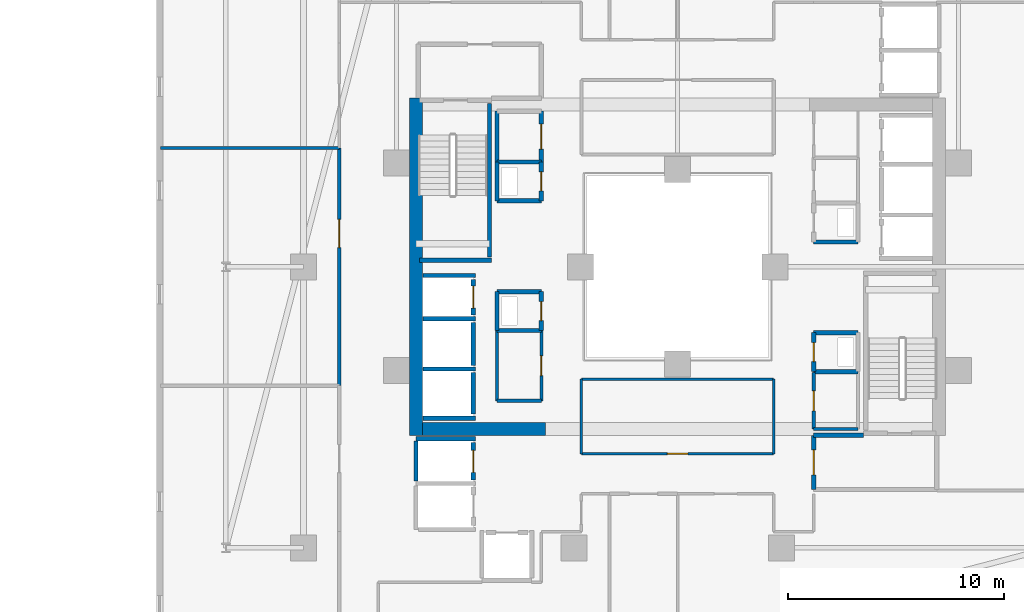
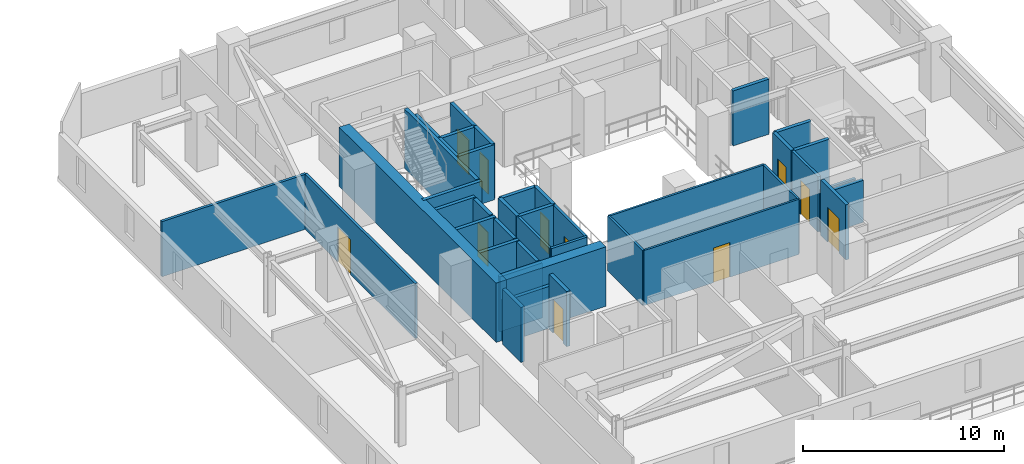
# One storey, part 24 of 33: 41 walls, 11 doors, 11 openings.
"""IFC4 building model written with IfcOpenShell, lengths in metres."""

from ifc_helpers import new_model, si_unit, direction, frame, frame_2d, origin, place, context, subcontext, project, spatial, rectangle, extrude, material, layer, layer_set, type_object, element, fill, save


model = new_model("IFC4")

# Units and contexts
model_context = context("Model", 3, precision=1e-05, world=origin(), true_north=direction((0.0, 1.0)))
body_context = subcontext(model_context, "Body", "Model", "MODEL_VIEW")
ifc_project = project(units=[si_unit("LENGTHUNIT", "METRE"), si_unit("AREAUNIT", "SQUARE_METRE"), si_unit("VOLUMEUNIT", "CUBIC_METRE"), si_unit("PLANEANGLEUNIT", "RADIAN"), si_unit("MASSUNIT", "GRAM", prefix="KILO")], contexts=[model_context])

# Site, building, storey
site_placement = place(None, origin())
site = spatial("IfcSite", under=ifc_project, at=site_placement, CompositionType="ELEMENT")
building_placement = place(site_placement, origin())
building = spatial("IfcBuilding", under=site, at=building_placement, Name="Thornwick Lancets Civic Towers", CompositionType="ELEMENT")
storey_placement = place(building_placement, frame((0.0, 0.0, 108.89990234375)))
storey = spatial("IfcBuildingStorey", under=building, at=storey_placement, Name="L28", CompositionType="ELEMENT", Elevation=108.89990234375)

# Wall, opening, door
ifc_material_1 = material(Name="Concrete blockwork C40/50", Category="masonry")
ifc_layer_1 = layer(ifc_material_1, 0.199951171875, Name="Concrete blockwork C40/50")
ifc_layer_set_1 = layer_set([ifc_layer_1], Name="Concrete blockwork C40/50")
wall_type_1 = type_object("IfcWallType", Name="WALL_COMP_200", PredefinedType="STANDARD", material=ifc_layer_set_1)
wall_1_placement = place(storey_placement, frame((79.050048828125, 24.780029296875, 0.0), z_axis=(0.0, 0.0, 1.0), x_axis=(0.0, 1.0, 0.0)))
wall_1 = element("IfcWall", 1, at=wall_1_placement, inside=storey, type_object=wall_type_1, Name="L28 Hoistway Front Wall FL-B2", PredefinedType="STANDARD", context=body_context, shape_type="SweptSolid", body=[
    extrude(rectangle(XDim=1.639892578125, YDim=0.199951171875, at=frame_2d((0.81982421875, 0.0))), origin(), (0.0, 0.0, 1.0), 3.340087890625),
])
opening_1_placement = place(wall_1_placement, frame((0.31005859375, 0.0, 0.0)))
opening_1 = element("IfcOpeningElement", 2, at=opening_1_placement, cuts=wall_1, Name="Opening LD-FL-B2", PredefinedType="OPENING", context=body_context, shape_type="SweptSolid", body=[
    extrude(rectangle(XDim=1.02001953125, YDim=2.06005859375, at=frame_2d((0.510009765625, 1.030029296875))), frame((0.0, 0.10986328125, 0.0), z_axis=(0.0, -1.0, 0.0), x_axis=(1.0, 0.0, 0.0)), (0.0, 0.0, 1.0), 0.219970703125),
])
ifc_material_2 = material(Name="Brushed bronze stainless steel", Category="steel")
door_type_1 = type_object("IfcDoorType", Name="DOOR_LIFT_SLIDE", OperationType="SLIDING_TO_LEFT", PredefinedType="DOOR", material=ifc_material_2)
door_1_placement = place(opening_1_placement, origin())
door_1 = element("IfcDoor", 3, at=door_1_placement, inside=storey, type_object=door_type_1, Name="L28 Sliding Lift Landing Door LD-FL-B2", OperationType="SLIDING_TO_LEFT", OverallHeight=2.06005859375, OverallWidth=1.02001953125, PredefinedType="DOOR", context=body_context, shape_type="SweptSolid", body=[
    extrude(rectangle(XDim=1.02001953125, YDim=2.06005859375, at=frame_2d((0.510009765625, 1.030029296875))), frame((0.0, 0.02490234375, 0.0), z_axis=(0.0, -1.0, 0.0), x_axis=(1.0, 0.0, 0.0)), (0.0, 0.0, 1.0), 0.050048828125),
])
fill(opening_1, door_1)

# Walls
wall_2_placement = place(storey_placement, frame((79.050048828125, 22.429931640625, 0.0), z_axis=(0.0, 0.0, 1.0), x_axis=(0.0, 1.0, 0.0)))
element("IfcWall", 4, at=wall_2_placement, inside=storey, type_object=wall_type_1, Name="L28 Hoistway Front Wall PL-BH2", PredefinedType="STANDARD", context=body_context, shape_type="SweptSolid", body=[
    extrude(rectangle(XDim=1.989990234375, YDim=0.199951171875, at=frame_2d((0.9951171875, 0.0))), origin(), (0.0, 0.0, 1.0), 3.340087890625),
])
wall_3_placement = place(storey_placement, frame((79.050048828125, 20.179931640625, 0.0), z_axis=(0.0, 0.0, 1.0), x_axis=(0.0, 1.0, 0.0)))
element("IfcWall", 5, at=wall_3_placement, inside=storey, type_object=wall_type_1, Name="L28 Hoistway Front Wall PL-BH3", PredefinedType="STANDARD", context=body_context, shape_type="SweptSolid", body=[
    extrude(rectangle(XDim=1.940185546875, YDim=0.199951171875, at=frame_2d((0.97021484375, 0.0))), origin(), (0.0, 0.0, 1.0), 3.340087890625),
])

# Wall, opening, door
wall_4_placement = place(storey_placement, frame((79.050048828125, 17.1298828125, 0.0), z_axis=(0.0, 0.0, 1.0), x_axis=(0.0, 1.0, 0.0)))
wall_4 = element("IfcWall", 6, at=wall_4_placement, inside=storey, type_object=wall_type_1, Name="L28 Hoistway Front Wall PL-BM1", PredefinedType="STANDARD", context=body_context, shape_type="SweptSolid", body=[
    extrude(rectangle(XDim=1.740234375, YDim=0.199951171875, at=frame_2d((0.8701171875, 0.0))), origin(), (0.0, 0.0, 1.0), 3.340087890625),
])
opening_2_placement = place(wall_4_placement, frame((0.360107421875, 0.0, 0.0)))
opening_2 = element("IfcOpeningElement", 7, at=opening_2_placement, cuts=wall_4, Name="Opening LD-PL-BM1", PredefinedType="OPENING", context=body_context, shape_type="SweptSolid", body=[
    extrude(rectangle(XDim=1.02001953125, YDim=2.06005859375, at=frame_2d((0.510009765625, 1.030029296875))), frame((0.0, 0.10986328125, 0.0), z_axis=(0.0, -1.0, 0.0), x_axis=(1.0, 0.0, 0.0)), (0.0, 0.0, 1.0), 0.219970703125),
])
door_2_placement = place(opening_2_placement, origin())
door_2 = element("IfcDoor", 8, at=door_2_placement, inside=storey, type_object=door_type_1, Name="L28 Sliding Lift Landing Door LD-PL-BM1", OperationType="SLIDING_TO_LEFT", OverallHeight=2.06005859375, OverallWidth=1.02001953125, PredefinedType="DOOR", context=body_context, shape_type="SweptSolid", body=[
    extrude(rectangle(XDim=1.02001953125, YDim=2.06005859375, at=frame_2d((0.510009765625, 1.030029296875))), frame((0.0, 0.02490234375, 0.0), z_axis=(0.0, -1.0, 0.0), x_axis=(1.0, 0.0, 0.0)), (0.0, 0.0, 1.0), 0.050048828125),
])
fill(opening_2, door_2)

# Walls
for number, where, z_axis, x_axis, name in (
    (9, (76.7119140625, 26.60009765625, 0.0), (0.0, 0.0, 1.0), (1.0, 0.0, 0.0), "L28 Hoistway Shaft Wall FL-B2 N"),
    (10, (76.7119140625, 24.60009765625, 0.0), (0.0, 0.0, 1.0), (1.0, 0.0, 0.0), "L28 Hoistway Shaft Wall FL-B2 S"),
    (11, (76.7119140625, 22.27490234375, 0.0), (0.0, 0.0, 1.0), (1.0, 0.0, 0.0), "L28 Hoistway Shaft Wall PL-BH2 S"),
    (12, (76.7119140625, 20.0, 0.0), (0.0, 0.0, 1.0), (1.0, 0.0, 0.0), "L28 Hoistway Shaft Wall PL-BH3 S"),
):
    element("IfcWall", number, at=place(storey_placement, frame(where, z_axis=z_axis, x_axis=x_axis)), inside=storey, type_object=wall_type_1, Name=name, PredefinedType="STANDARD", context=body_context, shape_type="SweptSolid", body=[
        extrude(rectangle(XDim=2.43603515625, YDim=0.199951171875, at=frame_2d((1.218017578125, 0.0))), origin(), (0.0, 0.0, 1.0), 3.340087890625),
    ])
wall_5_placement = place(storey_placement, frame((76.402099609375, 19.050048828125, 0.0), z_axis=(0.0, 0.0, 1.0), x_axis=(1.0, 0.0, 0.0)))
element("IfcWall", 13, at=wall_5_placement, inside=storey, type_object=wall_type_1, Name="L28 Hoistway Shaft Wall PL-BM1 N", PredefinedType="STANDARD", context=body_context, shape_type="SweptSolid", body=[
    extrude(rectangle(XDim=2.745849609375, YDim=0.199951171875, at=frame_2d((1.373046875, 0.0))), origin(), (0.0, 0.0, 1.0), 2.545166015625),
])
wall_6_placement = place(storey_placement, frame((76.39990234375, 17.08203125, 0.0), z_axis=(0.0, 0.0, 1.0), x_axis=(0.0, 1.0, 0.0)))
element("IfcWall", 14, at=wall_6_placement, inside=storey, type_object=wall_type_1, Name="L28 Hoistway Shaft Wall PL-BM1 W", PredefinedType="STANDARD", context=body_context, shape_type="SweptSolid", body=[
    extrude(rectangle(XDim=1.85595703125, YDim=0.199951171875, at=frame_2d((0.927978515625, 0.0))), origin(), (0.0, 0.0, 1.0), 3.340087890625),
])
wall_7_placement = place(storey_placement, frame((97.10009765625, 19.199951171875, 0.0), z_axis=(0.0, 0.0, 1.0), x_axis=(-1.0, 0.0, 0.0)))
element("IfcWall", 15, at=wall_7_placement, inside=storey, type_object=wall_type_1, Name="L28 Partition L28-B-FFLOB1 E3", PredefinedType="STANDARD", context=body_context, shape_type="SweptSolid", body=[
    extrude(rectangle(XDim=2.300048828125, YDim=0.199951171875, at=frame_2d((1.14990234375, 0.0))), origin(), (0.0, 0.0, 1.0), 2.545166015625),
])

# Wall, opening, door
wall_8_placement = place(storey_placement, frame((94.800048828125, 19.199951171875, 0.0), z_axis=(0.0, 0.0, 1.0), x_axis=(0.0, -1.0, 0.0)))
wall_8 = element("IfcWall", 16, at=wall_8_placement, inside=storey, type_object=wall_type_1, Name="L28 Partition L28-B-FFLOB1 E4", PredefinedType="STANDARD", context=body_context, shape_type="SweptSolid", body=[
    extrude(rectangle(XDim=2.5, YDim=0.199951171875, at=frame_2d((1.25, 0.0))), origin(), (0.0, 0.0, 1.0), 3.340087890625),
])
opening_3_placement = place(wall_8_placement, frame((0.675048828125, 0.0, 0.0)))
opening_3 = element("IfcOpeningElement", 17, at=opening_3_placement, cuts=wall_8, Name="Opening D-L28-1284", PredefinedType="OPENING", context=body_context, shape_type="SweptSolid", body=[
    extrude(rectangle(XDim=1.14990234375, YDim=2.10009765625, at=frame_2d((0.574951171875, 1.050048828125))), frame((0.0, 0.10986328125, 0.0), z_axis=(0.0, -1.0, 0.0), x_axis=(1.0, 0.0, 0.0)), (0.0, 0.0, 1.0), 0.219970703125),
])
ifc_material_3 = material(Name="Glazed fire-resisting steel", Category="steel")
door_type_2 = type_object("IfcDoorType", Name="DOOR_LOBBY_FD60", OperationType="NOTDEFINED", PredefinedType="DOOR", material=ifc_material_3)
door_3_placement = place(opening_3_placement, origin())
door_3 = element("IfcDoor", 18, at=door_3_placement, inside=storey, type_object=door_type_2, Name="L28 East Firefighting Lobby 1 Door", OperationType="SINGLE_SWING_LEFT", OverallHeight=2.10009765625, OverallWidth=1.14990234375, PredefinedType="DOOR", context=body_context, shape_type="SweptSolid", body=[
    extrude(rectangle(XDim=1.14990234375, YDim=2.10009765625, at=frame_2d((0.574951171875, 1.050048828125))), frame((0.0, 0.02490234375, 0.0), z_axis=(0.0, -1.0, 0.0), x_axis=(1.0, 0.0, 0.0)), (0.0, 0.0, 1.0), 0.050048828125),
])
fill(opening_3, door_3)

# Walls
for number, where, z_axis, x_axis, name in (
    (19, (94.800048828125, 28.14990234375, 0.0), (0.0, 0.0, 1.0), (1.0, 0.0, 0.0), "L28 Partition L28-B-DUCT1 E1"),
    (20, (94.800048828125, 22.14990234375, 0.0), (0.0, 0.0, 1.0), (1.0, 0.0, 0.0), "L28 Partition L28-B-RISER1 E1"),
    (21, (96.85009765625, 23.949951171875, 0.0), (0.0, 0.0, 1.0), (-1.0, 0.0, 0.0), "L28 Partition L28-B-RISER1 E3"),
):
    element("IfcWall", number, at=place(storey_placement, frame(where, z_axis=z_axis, x_axis=x_axis)), inside=storey, type_object=wall_type_1, Name=name, PredefinedType="STANDARD", context=body_context, shape_type="SweptSolid", body=[
        extrude(rectangle(XDim=2.050048828125, YDim=0.199951171875, at=frame_2d((1.02490234375, 0.0))), origin(), (0.0, 0.0, 1.0), 3.340087890625),
    ])

# Wall, opening, door
wall_9_placement = place(storey_placement, frame((94.800048828125, 23.949951171875, 0.0), z_axis=(0.0, 0.0, 1.0), x_axis=(0.0, -1.0, 0.0)))
wall_9 = element("IfcWall", 22, at=wall_9_placement, inside=storey, type_object=wall_type_1, Name="L28 Partition L28-B-RISER1 E4", PredefinedType="STANDARD", context=body_context, shape_type="SweptSolid", body=[
    extrude(rectangle(XDim=1.800048828125, YDim=0.199951171875, at=frame_2d((0.89990234375, 0.0))), origin(), (0.0, 0.0, 1.0), 3.340087890625),
])
opening_4_placement = place(wall_9_placement, frame((0.4599609375, 0.0, 0.0)))
opening_4 = element("IfcOpeningElement", 23, at=opening_4_placement, cuts=wall_9, Name="Opening D-L28-1287", PredefinedType="OPENING", context=body_context, shape_type="SweptSolid", body=[
    extrude(rectangle(XDim=0.8798828125, YDim=2.0400390625, at=frame_2d((0.43994140625, 1.02001953125))), frame((0.0, 0.10986328125, 0.0), z_axis=(0.0, -1.0, 0.0), x_axis=(1.0, 0.0, 0.0)), (0.0, 0.0, 1.0), 0.219970703125),
])
ifc_material_4 = material(Name="Steel riser access doorset", Category="steel")
door_type_3 = type_object("IfcDoorType", Name="DOOR_RISER_850", OperationType="NOTDEFINED", PredefinedType="DOOR", material=ifc_material_4)
door_4_placement = place(opening_4_placement, origin())
door_4 = element("IfcDoor", 24, at=door_4_placement, inside=storey, type_object=door_type_3, Name="L28 East Electrical Riser 1 Door", OperationType="SINGLE_SWING_RIGHT", OverallHeight=2.0400390625, OverallWidth=0.8798828125, PredefinedType="DOOR", context=body_context, shape_type="SweptSolid", body=[
    extrude(rectangle(XDim=0.8798828125, YDim=2.0400390625, at=frame_2d((0.43994140625, 1.02001953125))), frame((0.0, 0.02490234375, 0.0), z_axis=(0.0, -1.0, 0.0), x_axis=(1.0, 0.0, 0.0)), (0.0, 0.0, 1.0), 0.050048828125),
])
fill(opening_4, door_4)

# Wall
wall_10_placement = place(storey_placement, frame((80.14990234375, 24.050048828125, 0.0), z_axis=(0.0, 0.0, 1.0), x_axis=(1.0, 0.0, 0.0)))
element("IfcWall", 25, at=wall_10_placement, inside=storey, type_object=wall_type_1, Name="L28 Partition L28-B-DUCT2 E1", PredefinedType="STANDARD", context=body_context, shape_type="SweptSolid", body=[
    extrude(rectangle(XDim=2.050048828125, YDim=0.199951171875, at=frame_2d((1.02490234375, 0.0))), origin(), (0.0, 0.0, 1.0), 3.340087890625),
])

# Wall, opening, door
wall_11_placement = place(storey_placement, frame((82.199951171875, 24.050048828125, 0.0), z_axis=(0.0, 0.0, 1.0), x_axis=(0.0, 1.0, 0.0)))
wall_11 = element("IfcWall", 26, at=wall_11_placement, inside=storey, type_object=wall_type_1, Name="L28 Partition L28-B-DUCT2 E2", PredefinedType="STANDARD", context=body_context, shape_type="SweptSolid", body=[
    extrude(rectangle(XDim=1.800048828125, YDim=0.199951171875, at=frame_2d((0.89990234375, 0.0))), origin(), (0.0, 0.0, 1.0), 3.340087890625),
])
opening_5_placement = place(wall_11_placement, frame((0.4599609375, 0.0, 0.0)))
opening_5 = element("IfcOpeningElement", 27, at=opening_5_placement, cuts=wall_11, Name="Opening D-L28-1288", PredefinedType="OPENING", context=body_context, shape_type="SweptSolid", body=[
    extrude(rectangle(XDim=0.8798828125, YDim=2.0400390625, at=frame_2d((0.43994140625, 1.02001953125))), frame((0.0, 0.10986328125, 0.0), z_axis=(0.0, -1.0, 0.0), x_axis=(1.0, 0.0, 0.0)), (0.0, 0.0, 1.0), 0.219970703125),
])
door_5_placement = place(opening_5_placement, origin())
door_5 = element("IfcDoor", 28, at=door_5_placement, inside=storey, type_object=door_type_3, Name="L28 West Service Duct 2 Door", OperationType="SINGLE_SWING_LEFT", OverallHeight=2.0400390625, OverallWidth=0.8798828125, PredefinedType="DOOR", context=body_context, shape_type="SweptSolid", body=[
    extrude(rectangle(XDim=0.8798828125, YDim=2.0400390625, at=frame_2d((0.43994140625, 1.02001953125))), frame((0.0, 0.02490234375, 0.0), z_axis=(0.0, -1.0, 0.0), x_axis=(1.0, 0.0, 0.0)), (0.0, 0.0, 1.0), 0.050048828125),
])
fill(opening_5, door_5)

# Walls
wall_12_placement = place(storey_placement, frame((82.199951171875, 25.85009765625, 0.0), z_axis=(0.0, 0.0, 1.0), x_axis=(-1.0, 0.0, 0.0)))
element("IfcWall", 29, at=wall_12_placement, inside=storey, type_object=wall_type_1, Name="L28 Partition L28-B-DUCT2 E3", PredefinedType="STANDARD", context=body_context, shape_type="SweptSolid", body=[
    extrude(rectangle(XDim=2.050048828125, YDim=0.199951171875, at=frame_2d((1.02490234375, 0.0))), origin(), (0.0, 0.0, 1.0), 3.340087890625),
])
wall_13_placement = place(storey_placement, frame((80.14990234375, 25.85009765625, 0.0), z_axis=(0.0, 0.0, 1.0), x_axis=(0.0, -1.0, 0.0)))
element("IfcWall", 30, at=wall_13_placement, inside=storey, type_object=wall_type_1, Name="L28 Partition L28-B-DUCT2 E4", PredefinedType="STANDARD", context=body_context, shape_type="SweptSolid", body=[
    extrude(rectangle(XDim=1.800048828125, YDim=0.199951171875, at=frame_2d((0.89990234375, 0.0))), origin(), (0.0, 0.0, 1.0), 3.340087890625),
])
wall_14_placement = place(storey_placement, frame((80.14990234375, 30.050048828125, 0.0), z_axis=(0.0, 0.0, 1.0), x_axis=(1.0, 0.0, 0.0)))
element("IfcWall", 31, at=wall_14_placement, inside=storey, type_object=wall_type_1, Name="L28 Partition L28-B-RISER2 E1", PredefinedType="STANDARD", context=body_context, shape_type="SweptSolid", body=[
    extrude(rectangle(XDim=2.050048828125, YDim=0.199951171875, at=frame_2d((1.02490234375, 0.0))), origin(), (0.0, 0.0, 1.0), 3.340087890625),
])

# Wall, opening, door
wall_15_placement = place(storey_placement, frame((82.199951171875, 30.050048828125, 0.0), z_axis=(0.0, 0.0, 1.0), x_axis=(0.0, 1.0, 0.0)))
wall_15 = element("IfcWall", 32, at=wall_15_placement, inside=storey, type_object=wall_type_1, Name="L28 Partition L28-B-RISER2 E2", PredefinedType="STANDARD", context=body_context, shape_type="SweptSolid", body=[
    extrude(rectangle(XDim=1.800048828125, YDim=0.199951171875, at=frame_2d((0.89990234375, 0.0))), origin(), (0.0, 0.0, 1.0), 3.340087890625),
])
opening_6_placement = place(wall_15_placement, frame((0.4599609375, 0.0, 0.0)))
opening_6 = element("IfcOpeningElement", 33, at=opening_6_placement, cuts=wall_15, Name="Opening D-L28-1289", PredefinedType="OPENING", context=body_context, shape_type="SweptSolid", body=[
    extrude(rectangle(XDim=0.8798828125, YDim=2.0400390625, at=frame_2d((0.43994140625, 1.02001953125))), frame((0.0, 0.10986328125, 0.0), z_axis=(0.0, -1.0, 0.0), x_axis=(1.0, 0.0, 0.0)), (0.0, 0.0, 1.0), 0.219970703125),
])
door_6_placement = place(opening_6_placement, origin())
door_6 = element("IfcDoor", 34, at=door_6_placement, inside=storey, type_object=door_type_3, Name="L28 West Service Riser 2 Door", OperationType="SINGLE_SWING_RIGHT", OverallHeight=2.0400390625, OverallWidth=0.8798828125, PredefinedType="DOOR", context=body_context, shape_type="SweptSolid", body=[
    extrude(rectangle(XDim=0.8798828125, YDim=2.0400390625, at=frame_2d((0.43994140625, 1.02001953125))), frame((0.0, 0.02490234375, 0.0), z_axis=(0.0, -1.0, 0.0), x_axis=(1.0, 0.0, 0.0)), (0.0, 0.0, 1.0), 0.050048828125),
])
fill(opening_6, door_6)

# Walls
wall_16_placement = place(storey_placement, frame((82.199951171875, 31.85009765625, 0.0), z_axis=(0.0, 0.0, 1.0), x_axis=(-1.0, 0.0, 0.0)))
element("IfcWall", 35, at=wall_16_placement, inside=storey, type_object=wall_type_1, Name="L28 Partition L28-B-RISER2 E3", PredefinedType="STANDARD", context=body_context, shape_type="SweptSolid", body=[
    extrude(rectangle(XDim=2.050048828125, YDim=0.199951171875, at=frame_2d((1.02490234375, 0.0))), origin(), (0.0, 0.0, 1.0), 3.340087890625),
])
wall_17_placement = place(storey_placement, frame((80.14990234375, 31.85009765625, 0.0), z_axis=(0.0, 0.0, 1.0), x_axis=(0.0, -1.0, 0.0)))
element("IfcWall", 36, at=wall_17_placement, inside=storey, type_object=wall_type_1, Name="L28 Partition L28-B-RISER2 E4", PredefinedType="STANDARD", context=body_context, shape_type="SweptSolid", body=[
    extrude(rectangle(XDim=1.800048828125, YDim=0.199951171875, at=frame_2d((0.89990234375, 0.0))), origin(), (0.0, 0.0, 1.0), 3.340087890625),
])
wall_18_placement = place(storey_placement, frame((80.14990234375, 31.85009765625, 0.0), z_axis=(0.0, 0.0, 1.0), x_axis=(0.0, 1.0, 0.0)))
element("IfcWall", 37, at=wall_18_placement, inside=storey, type_object=wall_type_1, Name="L28 Partition L28-B-STR E1", PredefinedType="STANDARD", context=body_context, shape_type="SweptSolid", body=[
    extrude(rectangle(XDim=2.349853515625, YDim=0.199951171875, at=frame_2d((1.1748046875, 0.0))), origin(), (0.0, 0.0, 1.0), 3.340087890625),
])

# Wall, opening, door
wall_19_placement = place(storey_placement, frame((82.199951171875, 34.199951171875, 0.0), z_axis=(0.0, 0.0, 1.0), x_axis=(0.0, -1.0, 0.0)))
wall_19 = element("IfcWall", 38, at=wall_19_placement, inside=storey, type_object=wall_type_1, Name="L28 Partition L28-B-STR E3", PredefinedType="STANDARD", context=body_context, shape_type="SweptSolid", body=[
    extrude(rectangle(XDim=2.349853515625, YDim=0.199951171875, at=frame_2d((1.1748046875, 0.0))), origin(), (0.0, 0.0, 1.0), 3.340087890625),
])
opening_7_placement = place(wall_19_placement, frame((0.60009765625, 0.0, 0.0)))
opening_7 = element("IfcOpeningElement", 39, at=opening_7_placement, cuts=wall_19, Name="Opening D-L28-1294", PredefinedType="OPENING", context=body_context, shape_type="SweptSolid", body=[
    extrude(rectangle(XDim=1.14990234375, YDim=2.10009765625, at=frame_2d((0.574951171875, 1.050048828125))), frame((0.0, 0.10986328125, 0.0), z_axis=(0.0, -1.0, 0.0), x_axis=(1.0, 0.0, 0.0)), (0.0, 0.0, 1.0), 0.219970703125),
])
door_7_placement = place(opening_7_placement, origin())
door_7 = element("IfcDoor", 40, at=door_7_placement, inside=storey, type_object=door_type_2, Name="L28 Tower B Core Equipment Store Door", OperationType="SINGLE_SWING_LEFT", OverallHeight=2.10009765625, OverallWidth=1.14990234375, PredefinedType="DOOR", context=body_context, shape_type="SweptSolid", body=[
    extrude(rectangle(XDim=1.14990234375, YDim=2.10009765625, at=frame_2d((0.574951171875, 1.050048828125))), frame((0.0, 0.02490234375, 0.0), z_axis=(0.0, -1.0, 0.0), x_axis=(1.0, 0.0, 0.0)), (0.0, 0.0, 1.0), 0.050048828125),
])
fill(opening_7, door_7)

# Walls
ifc_material_5 = material(Name="Concrete C60/75", Category="concrete")
ifc_layer_2 = layer(ifc_material_5, 0.60009765625, Name="Concrete C60/75")
ifc_layer_set_2 = layer_set([ifc_layer_2], Name="Concrete C60/75")
wall_type_2 = type_object("IfcWallType", Name="WALL_CORE_600", PredefinedType="SHEAR", material=ifc_layer_set_2)
wall_20_placement = place(storey_placement, frame((76.39990234375, 19.199951171875, 0.0), z_axis=(0.0, 0.0, 1.0), x_axis=(0.0, 1.0, 0.0)))
element("IfcWall", 41, at=wall_20_placement, inside=storey, type_object=wall_type_2, Name="L28 Split Core B2 Shear Wall W", PredefinedType="SHEAR", context=body_context, shape_type="SweptSolid", body=[
    extrude(rectangle(XDim=15.60009765625, YDim=0.60009765625, at=frame_2d((7.800048828125, 0.0))), origin(), (0.0, 0.0, 1.0), 3.60009765625),
])
wall_21_placement = place(storey_placement, frame((76.699951171875, 19.5, 0.0), z_axis=(0.0, 0.0, 1.0), x_axis=(1.0, 0.0, 0.0)))
element("IfcWall", 42, at=wall_21_placement, inside=storey, type_object=wall_type_2, Name="L28 Split Core B2 Shear Wall S", PredefinedType="SHEAR", context=body_context, shape_type="SweptSolid", body=[
    extrude(rectangle(XDim=5.699951171875, YDim=0.60009765625, at=frame_2d((2.85009765625, 0.0))), origin(), (0.0, 0.0, 1.0), 3.60009765625),
])
ifc_material_6 = material(Name="Acoustic gypsum board partition")
ifc_layer_3 = layer(ifc_material_6, 0.1201171875, Name="Acoustic gypsum board partition")
ifc_layer_set_3 = layer_set([ifc_layer_3], Name="Acoustic gypsum board partition")
wall_type_3 = type_object("IfcWallType", Name="WALL_PART_120", PredefinedType="PARTITIONING", material=ifc_layer_set_3)
wall_22_placement = place(storey_placement, frame((84.050048828125, 18.35009765625, 0.0), z_axis=(0.0, 0.0, 1.0), x_axis=(0.0, 1.0, 0.0)))
element("IfcWall", 43, at=wall_22_placement, inside=storey, type_object=wall_type_3, Name="L28 Partition L28-B-ATR-W E1", PredefinedType="PARTITIONING", context=body_context, shape_type="SweptSolid", body=[
    extrude(rectangle(XDim=3.449951171875, YDim=0.1201171875, at=frame_2d((1.72509765625, 0.0))), origin(), (0.0, 0.0, 1.0), 3.340087890625),
])
wall_23_placement = place(storey_placement, frame((84.050048828125, 21.800048828125, 0.0), z_axis=(0.0, 0.0, 1.0), x_axis=(1.0, 0.0, 0.0)))
element("IfcWall", 44, at=wall_23_placement, inside=storey, type_object=wall_type_3, Name="L28 Partition L28-B-ATR-W E2", PredefinedType="PARTITIONING", context=body_context, shape_type="SweptSolid", body=[
    extrude(rectangle(XDim=8.89990234375, YDim=0.1201171875, at=frame_2d((4.449951171875, 0.0))), origin(), (0.0, 0.0, 1.0), 3.340087890625),
])
wall_24_placement = place(storey_placement, frame((92.949951171875, 21.800048828125, 0.0), z_axis=(0.0, 0.0, 1.0), x_axis=(0.0, -1.0, 0.0)))
element("IfcWall", 45, at=wall_24_placement, inside=storey, type_object=wall_type_3, Name="L28 Partition L28-B-ATR-W E3", PredefinedType="PARTITIONING", context=body_context, shape_type="SweptSolid", body=[
    extrude(rectangle(XDim=3.449951171875, YDim=0.1201171875, at=frame_2d((1.72509765625, 0.0))), origin(), (0.0, 0.0, 1.0), 3.340087890625),
])

# Wall, opening, door
wall_25_placement = place(storey_placement, frame((92.949951171875, 18.35009765625, 0.0), z_axis=(0.0, 0.0, 1.0), x_axis=(-1.0, 0.0, 0.0)))
wall_25 = element("IfcWall", 46, at=wall_25_placement, inside=storey, type_object=wall_type_3, Name="L28 Partition L28-B-ATR-W E4", PredefinedType="PARTITIONING", context=body_context, shape_type="SweptSolid", body=[
    extrude(rectangle(XDim=8.89990234375, YDim=0.1201171875, at=frame_2d((4.449951171875, 0.0))), origin(), (0.0, 0.0, 1.0), 3.340087890625),
])
opening_8_placement = place(wall_25_placement, frame((3.97509765625, 0.0, 0.0)))
opening_8 = element("IfcOpeningElement", 47, at=opening_8_placement, cuts=wall_25, Name="Opening D-L28-1313", PredefinedType="OPENING", context=body_context, shape_type="SweptSolid", body=[
    extrude(rectangle(XDim=0.949951171875, YDim=2.10009765625, at=frame_2d((0.47509765625, 1.050048828125))), frame((0.0, 0.070068359375, 0.0), z_axis=(0.0, -1.0, 0.0), x_axis=(1.0, 0.0, 0.0)), (0.0, 0.0, 1.0), 0.14013671875),
])
ifc_material_7 = material(Name="European oak acoustic doorset")
door_type_4 = type_object("IfcDoorType", Name="DOOR_OFFICE_950", OperationType="NOTDEFINED", PredefinedType="DOOR", material=ifc_material_7)
door_8_placement = place(opening_8_placement, origin())
door_8 = element("IfcDoor", 48, at=door_8_placement, inside=storey, type_object=door_type_4, Name="L28 Tower B West Atrium Study Lounge Door", OperationType="SINGLE_SWING_RIGHT", OverallHeight=2.10009765625, OverallWidth=0.949951171875, PredefinedType="DOOR", context=body_context, shape_type="SweptSolid", body=[
    extrude(rectangle(XDim=0.949951171875, YDim=2.10009765625, at=frame_2d((0.47509765625, 1.050048828125))), frame((0.0, 0.02490234375, 0.0), z_axis=(0.0, -1.0, 0.0), x_axis=(1.0, 0.0, 0.0)), (0.0, 0.0, 1.0), 0.050048828125),
])
fill(opening_8, door_8)

# Wall
ifc_material_8 = material(Name="Twin-stud acoustic gypsum board")
ifc_layer_4 = layer(ifc_material_8, 0.14990234375, Name="Twin-stud acoustic gypsum board")
ifc_layer_set_4 = layer_set([ifc_layer_4], Name="Twin-stud acoustic gypsum board")
wall_type_4 = type_object("IfcWallType", Name="WALL_PART_150", PredefinedType="PARTITIONING", material=ifc_layer_set_4)
wall_26_placement = place(storey_placement, frame((94.800048828125, 19.5, 0.0), z_axis=(0.0, 0.0, 1.0), x_axis=(1.0, 0.0, 0.0)))
element("IfcWall", 49, at=wall_26_placement, inside=storey, type_object=wall_type_4, Name="L28 Partition L28-B-AWC E1", PredefinedType="PARTITIONING", context=body_context, shape_type="SweptSolid", body=[
    extrude(rectangle(XDim=2.050048828125, YDim=0.14990234375, at=frame_2d((1.02490234375, 0.0))), origin(), (0.0, 0.0, 1.0), 2.545166015625),
])

# Wall, opening, door
wall_27_placement = place(storey_placement, frame((94.800048828125, 22.10009765625, 0.0), z_axis=(0.0, 0.0, 1.0), x_axis=(0.0, -1.0, 0.0)))
wall_27 = element("IfcWall", 50, at=wall_27_placement, inside=storey, type_object=wall_type_4, Name="L28 Partition L28-B-AWC E4", PredefinedType="PARTITIONING", context=body_context, shape_type="SweptSolid", body=[
    extrude(rectangle(XDim=2.60009765625, YDim=0.14990234375, at=frame_2d((1.300048828125, 0.0))), origin(), (0.0, 0.0, 1.0), 3.340087890625),
])
opening_9_placement = place(wall_27_placement, frame((0.840087890625, 0.0, 0.0)))
opening_9 = element("IfcOpeningElement", 51, at=opening_9_placement, cuts=wall_27, Name="Opening D-L28-1290", PredefinedType="OPENING", context=body_context, shape_type="SweptSolid", body=[
    extrude(rectangle(XDim=0.919921875, YDim=2.080078125, at=frame_2d((0.4599609375, 1.0400390625))), frame((0.0, 0.0849609375, 0.0), z_axis=(0.0, -1.0, 0.0), x_axis=(1.0, 0.0, 0.0)), (0.0, 0.0, 1.0), 0.169921875),
])
ifc_material_9 = material(Name="Moisture-resistant oak doorset")
door_type_5 = type_object("IfcDoorType", Name="DOOR_WC_900", OperationType="NOTDEFINED", PredefinedType="DOOR", material=ifc_material_9)
door_9_placement = place(opening_9_placement, origin())
door_9 = element("IfcDoor", 52, at=door_9_placement, inside=storey, type_object=door_type_5, Name="L28 Tower B Accessible WC Door", OperationType="SINGLE_SWING_LEFT", OverallHeight=2.080078125, OverallWidth=0.919921875, PredefinedType="DOOR", context=body_context, shape_type="SweptSolid", body=[
    extrude(rectangle(XDim=0.919921875, YDim=2.080078125, at=frame_2d((0.4599609375, 1.0400390625))), frame((0.0, 0.02490234375, 0.0), z_axis=(0.0, -1.0, 0.0), x_axis=(1.0, 0.0, 0.0)), (0.0, 0.0, 1.0), 0.050048828125),
])
fill(opening_9, door_9)

# Walls
wall_28_placement = place(storey_placement, frame((82.199951171875, 20.800048828125, 0.0), z_axis=(0.0, 0.0, 1.0), x_axis=(-1.0, 0.0, 0.0)))
element("IfcWall", 53, at=wall_28_placement, inside=storey, type_object=wall_type_4, Name="L28 Partition L28-B-FWC E1", PredefinedType="PARTITIONING", context=body_context, shape_type="SweptSolid", body=[
    extrude(rectangle(XDim=2.050048828125, YDim=0.14990234375, at=frame_2d((1.02490234375, 0.0))), origin(), (0.0, 0.0, 1.0), 3.340087890625),
])
wall_29_placement = place(storey_placement, frame((80.14990234375, 20.800048828125, 0.0), z_axis=(0.0, 0.0, 1.0), x_axis=(0.0, 1.0, 0.0)))
element("IfcWall", 54, at=wall_29_placement, inside=storey, type_object=wall_type_4, Name="L28 Partition L28-B-FWC E2", PredefinedType="PARTITIONING", context=body_context, shape_type="SweptSolid", body=[
    extrude(rectangle(XDim=3.25, YDim=0.14990234375, at=frame_2d((1.625, 0.0))), origin(), (0.0, 0.0, 1.0), 3.340087890625),
])

# Wall, opening, door
wall_30_placement = place(storey_placement, frame((82.199951171875, 24.050048828125, 0.0), z_axis=(0.0, 0.0, 1.0), x_axis=(0.0, -1.0, 0.0)))
wall_30 = element("IfcWall", 55, at=wall_30_placement, inside=storey, type_object=wall_type_4, Name="L28 Partition L28-B-FWC E4", PredefinedType="PARTITIONING", context=body_context, shape_type="SweptSolid", body=[
    extrude(rectangle(XDim=3.25, YDim=0.14990234375, at=frame_2d((1.625, 0.0))), origin(), (0.0, 0.0, 1.0), 3.340087890625),
])
opening_10_placement = place(wall_30_placement, frame((1.1650390625, 0.0, 0.0)))
opening_10 = element("IfcOpeningElement", 56, at=opening_10_placement, cuts=wall_30, Name="Opening D-L28-1293", PredefinedType="OPENING", context=body_context, shape_type="SweptSolid", body=[
    extrude(rectangle(XDim=0.919921875, YDim=2.080078125, at=frame_2d((0.4599609375, 1.0400390625))), frame((0.0, 0.0849609375, 0.0), z_axis=(0.0, -1.0, 0.0), x_axis=(1.0, 0.0, 0.0)), (0.0, 0.0, 1.0), 0.169921875),
])
door_10_placement = place(opening_10_placement, origin())
door_10 = element("IfcDoor", 57, at=door_10_placement, inside=storey, type_object=door_type_5, Name="L28 Tower B Female WC Door", OperationType="SINGLE_SWING_RIGHT", OverallHeight=2.080078125, OverallWidth=0.919921875, PredefinedType="DOOR", context=body_context, shape_type="SweptSolid", body=[
    extrude(rectangle(XDim=0.919921875, YDim=2.080078125, at=frame_2d((0.4599609375, 1.0400390625))), frame((0.0, 0.02490234375, 0.0), z_axis=(0.0, -1.0, 0.0), x_axis=(1.0, 0.0, 0.0)), (0.0, 0.0, 1.0), 0.050048828125),
])
fill(opening_10, door_10)

# Wall
wall_31_placement = place(storey_placement, frame((64.580078125, 32.5, 0.0), z_axis=(0.0, 0.0, 1.0), x_axis=(1.0, 0.0, 0.0)))
element("IfcWall", 58, at=wall_31_placement, inside=storey, type_object=wall_type_4, Name="L28 Partition L28-B-N-MEET E3", PredefinedType="PARTITIONING", context=body_context, shape_type="SweptSolid", body=[
    extrude(rectangle(XDim=8.27001953125, YDim=0.14990234375, at=frame_2d((4.135009765625, 0.0))), origin(), (0.0, 0.0, 1.0), 3.340087890625),
])

# Wall, opening, door
wall_32_placement = place(storey_placement, frame((72.85009765625, 32.5, 0.0), z_axis=(0.0, 0.0, 1.0), x_axis=(0.0, -1.0, 0.0)))
wall_32 = element("IfcWall", 59, at=wall_32_placement, inside=storey, type_object=wall_type_4, Name="L28 Partition L28-B-N-MEET E4", PredefinedType="PARTITIONING", context=body_context, shape_type="SweptSolid", body=[
    extrude(rectangle(XDim=11.0, YDim=0.14990234375, at=frame_2d((5.5, 0.0))), origin(), (0.0, 0.0, 1.0), 3.340087890625),
])
opening_11_placement = place(wall_32_placement, frame((3.31005859375, 0.0, 0.0)))
opening_11 = element("IfcOpeningElement", 60, at=opening_11_placement, cuts=wall_32, Name="Opening D-L28-1315", PredefinedType="OPENING", context=body_context, shape_type="SweptSolid", body=[
    extrude(rectangle(XDim=1.300048828125, YDim=2.1201171875, at=frame_2d((0.64990234375, 1.06005859375))), frame((0.0, 0.0849609375, 0.0), z_axis=(0.0, -1.0, 0.0), x_axis=(1.0, 0.0, 0.0)), (0.0, 0.0, 1.0), 0.169921875),
])
ifc_material_10 = material(Name="Acoustic oak leaf-and-a-half doorset")
door_type_6 = type_object("IfcDoorType", Name="DOOR_MEET_1300", OperationType="DOUBLE_DOOR_SINGLE_SWING", PredefinedType="DOOR", material=ifc_material_10)
door_11_placement = place(opening_11_placement, origin())
door_11 = element("IfcDoor", 61, at=door_11_placement, inside=storey, type_object=door_type_6, Name="L28 Tower B North Briefing Chamber Door", OperationType="DOUBLE_DOOR_SINGLE_SWING", OverallHeight=2.1201171875, OverallWidth=1.300048828125, PredefinedType="DOOR", context=body_context, shape_type="SweptSolid", body=[
    extrude(rectangle(XDim=1.300048828125, YDim=2.1201171875, at=frame_2d((0.64990234375, 1.06005859375))), frame((0.0, 0.02490234375, 0.0), z_axis=(0.0, -1.0, 0.0), x_axis=(1.0, 0.0, 0.0)), (0.0, 0.0, 1.0), 0.050048828125),
])
fill(opening_11, door_11)

# Walls
ifc_material_11 = material(Name="Concrete C40/50", Category="concrete")
ifc_layer_5 = layer(ifc_material_11, 0.199951171875, Name="Concrete C40/50")
ifc_layer_set_5 = layer_set([ifc_layer_5], Name="Concrete C40/50")
wall_type_5 = type_object("IfcWallType", Name="WALL_SHAFT_200", PredefinedType="SHEAR", material=ifc_layer_set_5)
wall_33_placement = place(storey_placement, frame((79.89990234375, 27.300048828125, 0.0), z_axis=(0.0, 0.0, 1.0), x_axis=(-1.0, 0.0, 0.0)))
element("IfcWall", 62, at=wall_33_placement, inside=storey, type_object=wall_type_5, Name="L28 ST-B2 Fire Stair Core Wall FAR", PredefinedType="SHEAR", context=body_context, shape_type="SweptSolid", body=[
    extrude(rectangle(XDim=3.349853515625, YDim=0.199951171875, at=frame_2d((1.6748046875, 0.0))), origin(), (0.0, 0.0, 1.0), 3.60009765625),
])
wall_34_placement = place(storey_placement, frame((79.797119140625, 27.449951171875, 0.0), z_axis=(0.0, 0.0, 1.0), x_axis=(0.0, 1.0, 0.0)))
element("IfcWall", 63, at=wall_34_placement, inside=storey, type_object=wall_type_5, Name="L28 ST-B2 Fire Stair Core Wall RIGHT", PredefinedType="SHEAR", context=body_context, shape_type="SweptSolid", body=[
    extrude(rectangle(XDim=7.10009765625, YDim=0.199951171875, at=frame_2d((3.550048828125, 0.0))), origin(), (0.0, 0.0, 1.0), 3.60009765625),
])

save(model, "model.ifc")
